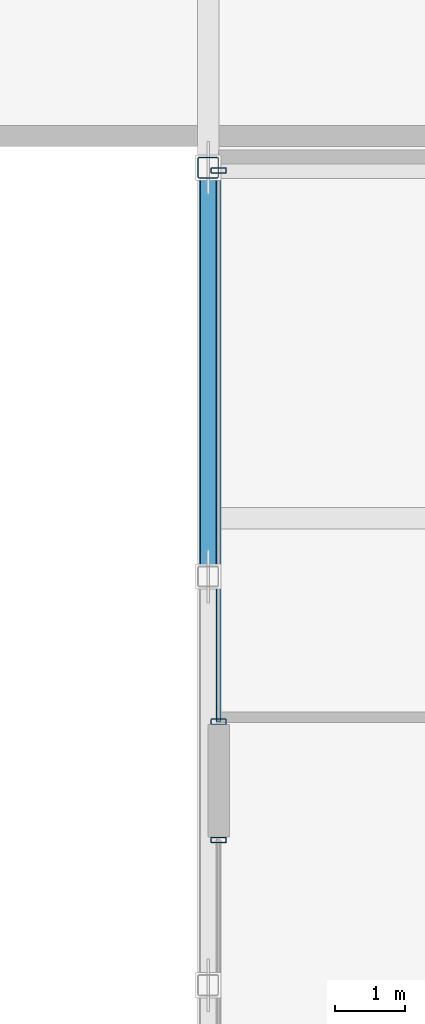
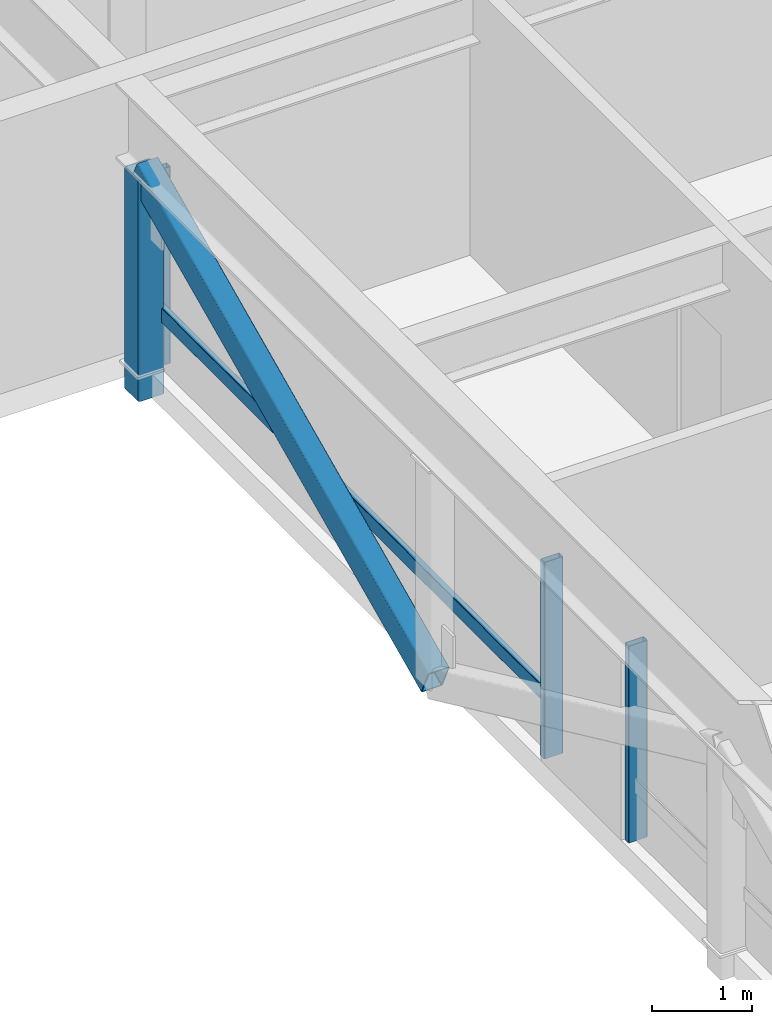
# One storey, part 6 of 28: 6 members, 2 elements without a shape of their own.
"""IFC4 building model written with IfcOpenShell, lengths in metres."""

from ifc_helpers import new_model, si_unit, direction, frame, origin, origin_2d, place, context, subcontext, project, spatial, hollow_rectangle, extrude, material, layer, layer_set, material_profile, profile_set, type_object, element, aggregate, save


model = new_model("IFC4")

# Units and contexts
model_context = context("Model", 3, precision=1e-05, world=origin(), true_north=direction((0.0, 1.0)))
body_context = subcontext(model_context, "Body", "Model", "MODEL_VIEW")
ifc_project = project(units=[si_unit("LENGTHUNIT", "METRE"), si_unit("AREAUNIT", "SQUARE_METRE"), si_unit("VOLUMEUNIT", "CUBIC_METRE"), si_unit("PLANEANGLEUNIT", "RADIAN"), si_unit("MASSUNIT", "GRAM", prefix="KILO")], contexts=[model_context])

# Site, building, storey
site_placement = place(None, origin())
site = spatial("IfcSite", under=ifc_project, at=site_placement, CompositionType="ELEMENT")
building_placement = place(site_placement, origin())
building = spatial("IfcBuilding", under=site, at=building_placement, Name="Korimba Cascade Residences", CompositionType="ELEMENT")
storey_placement = place(building_placement, frame((0.0, 0.0, 153.699951171875)))
storey = spatial("IfcBuildingStorey", under=building, at=storey_placement, Name="L44", CompositionType="ELEMENT", Elevation=153.699951171875)

# Curtain wall, member
ifc_material_1 = material(Name="Anodised Aluminium Curtain Wall Framing", Category="aluminium")
ifc_layer = layer(ifc_material_1, 0.179931640625)
ifc_layer_set = layer_set([ifc_layer], Name="Anodised Aluminium Curtain Wall Framing")
curtain_wall_type = type_object("IfcCurtainWallType", Name="CW-OBS-SYS4", PredefinedType="NOTDEFINED", material=ifc_layer_set)
curtain_wall_1_placement = place(storey_placement, origin())
curtain_wall_1 = element("IfcCurtainWall", 1, at=curtain_wall_1_placement, inside=storey, type_object=curtain_wall_type, Name="L44 Curtain Wall CW-L44-BRG-W1", PredefinedType="NOTDEFINED")
ifc_material_2 = material(Name="Anodised Aluminium Mullion", Category="aluminium")
ifc_material_profile_1 = material_profile(ifc_material_2, hollow_rectangle(XDim=0.080078125, YDim=0.219970703125, WallThickness=0.00634765625, InnerFilletRadius=0.00634765625, OuterFilletRadius=0.0126953125, at=origin_2d()), Name="Anodised Aluminium Mullion")
ifc_profile_set_1 = profile_set([ifc_material_profile_1], Name="Anodised Aluminium Mullion")
member_type_1 = type_object("IfcMemberType", Name="CWM-MUL-220", PredefinedType="MULLION", material=ifc_profile_set_1)
member_1_placement = place(storey_placement, frame((82.25, 40.9599609375, 0.0), z_axis=(0.0, 0.0, 1.0), x_axis=(0.0, 1.0, 0.0)))
member_1 = element("IfcMember", 2, at=member_1_placement, type_object=member_type_1, Name="CW-L44-BRG-W1 Mullion 2", PredefinedType="MULLION", context=body_context, shape_type="SweptSolid", body=[
    extrude(hollow_rectangle(XDim=0.080078125, YDim=0.219970703125, WallThickness=0.00634765625, InnerFilletRadius=0.00634765625, OuterFilletRadius=0.0126953125, at=origin_2d()), origin(), (0.0, 0.0, 1.0), 2.39013671875),
])
aggregate(curtain_wall_1, [member_1])

# Curtain wall, members
curtain_wall_2_placement = place(storey_placement, origin())
curtain_wall_2 = element("IfcCurtainWall", 3, at=curtain_wall_2_placement, inside=storey, type_object=curtain_wall_type, Name="L44 Curtain Wall CW-L44-BRG-W2", PredefinedType="NOTDEFINED")
member_2_placement = place(storey_placement, frame((82.25, 42.639892578125, 0.0), z_axis=(0.0, 0.0, 1.0), x_axis=(0.0, 1.0, 0.0)))
member_2 = element("IfcMember", 4, at=member_2_placement, type_object=member_type_1, Name="CW-L44-BRG-W2 Mullion 1", PredefinedType="MULLION", context=body_context, shape_type="SweptSolid", body=[
    extrude(hollow_rectangle(XDim=0.080078125, YDim=0.219970703125, WallThickness=0.00634765625, InnerFilletRadius=0.00634765625, OuterFilletRadius=0.0126953125, at=origin_2d()), origin(), (0.0, 0.0, 1.0), 2.39013671875),
])
member_3_placement = place(storey_placement, frame((82.25, 50.4599609375, 0.0), z_axis=(0.0, 0.0, 1.0), x_axis=(0.0, 1.0, 0.0)))
member_3 = element("IfcMember", 5, at=member_3_placement, type_object=member_type_1, Name="CW-L44-BRG-W2 Mullion 2", PredefinedType="MULLION", context=body_context, shape_type="SweptSolid", body=[
    extrude(hollow_rectangle(XDim=0.080078125, YDim=0.219970703125, WallThickness=0.00634765625, InnerFilletRadius=0.00634765625, OuterFilletRadius=0.0126953125, at=origin_2d()), origin(), (0.0, 0.0, 1.0), 2.39013671875),
])
ifc_material_3 = material(Name="Anodised Aluminium Transom", Category="aluminium")
ifc_material_profile_2 = material_profile(ifc_material_3, hollow_rectangle(XDim=0.070068359375, YDim=0.179931640625, WallThickness=0.0048828125, InnerFilletRadius=0.0048828125, OuterFilletRadius=0.010009765625, at=origin_2d()), Name="Anodised Aluminium Transom")
ifc_profile_set_2 = profile_set([ifc_material_profile_2], Name="Anodised Aluminium Transom")
member_type_2 = type_object("IfcMemberType", Name="CWM-TRN-150", PredefinedType="USERDEFINED", material=ifc_profile_set_2)
member_4_placement = place(storey_placement, frame((82.25, 42.639892578125, 0.669189453125), z_axis=(0.0, 1.0, 0.0), x_axis=(-1.0, 0.0, 0.0)))
member_4 = element("IfcMember", 6, at=member_4_placement, type_object=member_type_2, Name="CW-L44-BRG-W2 Transom 1", ObjectType="TRANSOM", PredefinedType="USERDEFINED", context=body_context, shape_type="SweptSolid", body=[
    extrude(hollow_rectangle(XDim=0.070068359375, YDim=0.179931640625, WallThickness=0.0048828125, InnerFilletRadius=0.0048828125, OuterFilletRadius=0.010009765625, at=origin_2d()), origin(), (0.0, 0.0, 1.0), 7.820068359375),
])
aggregate(curtain_wall_2, [member_2, member_3, member_4])

# Members
ifc_material_4 = material(Name="Steel S460", Category="steel")
ifc_material_profile_3 = material_profile(ifc_material_4, hollow_rectangle(XDim=0.25, YDim=0.35009765625, WallThickness=0.012451171875, InnerFilletRadius=0.012451171875, OuterFilletRadius=0.02490234375, at=origin_2d()), Name="Steel S460")
ifc_profile_set_3 = profile_set([ifc_material_profile_3], Name="Steel S460")
member_type_3 = type_object("IfcMemberType", Name="MEM-BRG-SHS350", PredefinedType="BRACE", material=ifc_profile_set_3)
member_5_placement = place(storey_placement, frame((82.10009765625, 44.699951171875, -0.2900390625), z_axis=(0.0, 0.907563170266, 0.419915577201), x_axis=(-1.0, 0.0, 0.0)))
element("IfcMember", 7, at=member_5_placement, inside=storey, type_object=member_type_3, Name="L44 Mid-Bridge Warren Diagonal W3", PredefinedType="BRACE", context=body_context, shape_type="SweptSolid", body=[
    extrude(hollow_rectangle(XDim=0.25, YDim=0.35009765625, WallThickness=0.012451171875, InnerFilletRadius=0.012451171875, OuterFilletRadius=0.02490234375, at=origin_2d()), origin(), (0.0, 0.0, 1.0), 6.390869140625),
])
ifc_material_profile_4 = material_profile(ifc_material_4, hollow_rectangle(XDim=0.300048828125, YDim=0.300048828125, WallThickness=0.012451171875, InnerFilletRadius=0.012451171875, OuterFilletRadius=0.02490234375, at=origin_2d()), Name="Steel S460")
ifc_profile_set_4 = profile_set([ifc_material_profile_4], Name="Steel S460")
member_type_4 = type_object("IfcMemberType", Name="MEM-BRG-STR300", PredefinedType="STRUT", material=ifc_profile_set_4)
member_6_placement = place(storey_placement, frame((82.10009765625, 50.5, -0.2900390625), z_axis=(0.0, 0.0, 1.0), x_axis=(1.0, 0.0, 0.0)))
element("IfcMember", 8, at=member_6_placement, inside=storey, type_object=member_type_4, Name="L44 Mid-Bridge Warren Web Post W4", PredefinedType="STRUT", context=body_context, shape_type="SweptSolid", body=[
    extrude(hollow_rectangle(XDim=0.300048828125, YDim=0.300048828125, WallThickness=0.012451171875, InnerFilletRadius=0.012451171875, OuterFilletRadius=0.02490234375, at=origin_2d()), origin(), (0.0, 0.0, 1.0), 2.68359375),
])

save(model, "model.ifc")
